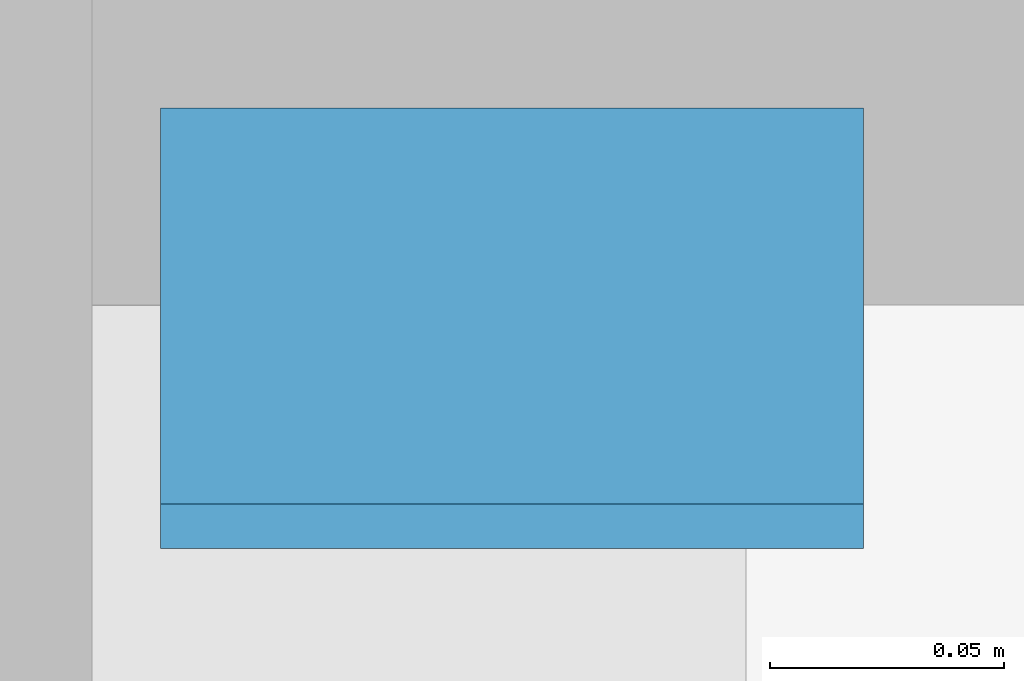
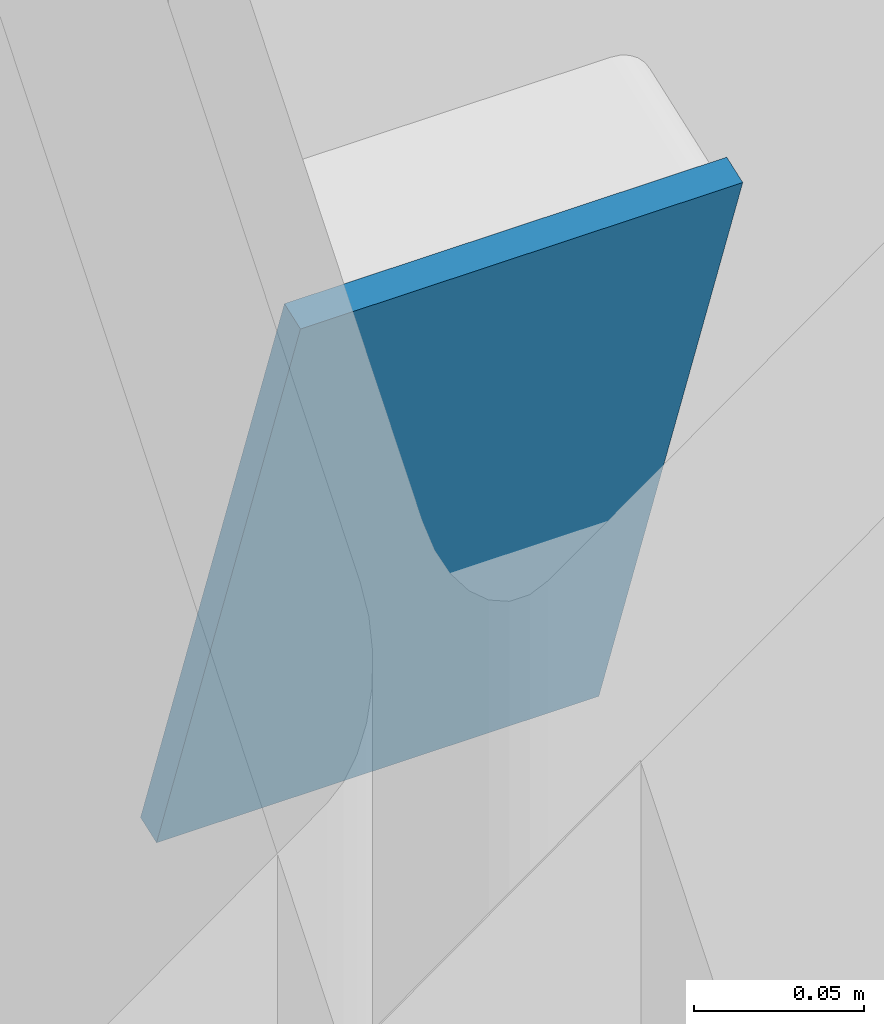
# One storey, part 115 of 149: 1 discrete accessory.
"""IFC4 building model written with IfcOpenShell, lengths in metres."""

import ifcopenshell
import ifcopenshell.guid

model = None  # the IFC model being written
_history = None  # IfcOwnerHistory: only IFC2X3 demands one
_inside = {}  # id of a spatial element -> (the spatial element, [elements in it])
_under = {}  # id of a project, library or spatial element -> (it, [spatial elements below it])
_declared = {}  # id of a project -> (the project, [libraries it declares])
_typed = {}  # id of a type object -> (the type object, [elements of that type])
_made_of = {}  # id of a material, layer set ... -> (it, [elements and type objects made of it])


def new_model(schema):
    """Start an empty IFC model of exactly this schema.

    Asked for "IFC4X3", IfcOpenShell would pick the latest addendum, in which some entities
    have other attributes; the version numbers below select the first issue.
    IFC2X3 requires an IfcOwnerHistory on every rooted entity: one is made here for all.
    """
    global model, _history
    if schema == "IFC4X3":
        model = ifcopenshell.file(schema_version=(4, 3, 0, 0))
    else:
        model = ifcopenshell.file(schema=schema)
    _inside.clear()
    _under.clear()
    _declared.clear()
    _typed.clear()
    _made_of.clear()
    _history = None
    if model.schema == "IFC2X3":
        org = make("IfcOrganization", Name="unknown")
        user = make(
            "IfcPersonAndOrganization",
            ThePerson=make("IfcPerson", FamilyName="unknown"),
            TheOrganization=org,
        )
        app = make(
            "IfcApplication",
            ApplicationDeveloper=org,
            Version="unknown",
            ApplicationFullName="unknown",
            ApplicationIdentifier="unknown",
        )
        _history = make(
            "IfcOwnerHistory",
            OwningUser=user,
            OwningApplication=app,
            ChangeAction="ADDED",
            CreationDate=0,
        )
    return model


def make(cls, **values):
    """One entity of the class cls with the attributes given. An attribute that is None is left unset."""
    return model.create_entity(
        cls, **{name: value for name, value in values.items() if value is not None}
    )


def rooted(cls, **values):
    """An entity with a GlobalId (a new one), such as an element, a storey or a relation."""
    return make(cls, GlobalId=ifcopenshell.guid.new(), OwnerHistory=_history, **values)


def si_unit(unit_type, name, prefix=None):
    """IfcSIUnit, for example si_unit("LENGTHUNIT", "METRE", prefix="MILLI")."""
    return make("IfcSIUnit", UnitType=unit_type, Prefix=prefix, Name=name)


def assignment(units):
    """IfcUnitAssignment: the units of a project."""
    return None if units is None else make("IfcUnitAssignment", Units=units)


def point(xyz):
    """IfcCartesianPoint."""
    return None if xyz is None else make("IfcCartesianPoint", Coordinates=xyz)


def direction(xyz):
    """IfcDirection."""
    return None if xyz is None else make("IfcDirection", DirectionRatios=xyz)


def frame(location, z_axis=None, x_axis=None):
    """IfcAxis2Placement3D, a coordinate frame: its origin and axes. An axis left out is left unset."""
    return make(
        "IfcAxis2Placement3D",
        Location=point(location),
        Axis=direction(z_axis),
        RefDirection=direction(x_axis),
    )


def frame_2d(location, x_axis=None):
    """IfcAxis2Placement2D, a coordinate frame in the plane: its origin and x axis."""
    return make(
        "IfcAxis2Placement2D", Location=point(location), RefDirection=direction(x_axis)
    )


def origin():
    """The frame at (0, 0, 0) with its axes left unset."""
    return frame((0.0, 0.0, 0.0))


def origin_2d():
    """The frame at (0, 0) in the plane with its x axis left unset."""
    return frame_2d((0.0, 0.0))


def place(relative_to, where):
    """IfcLocalPlacement: puts the frame where relative to a parent placement (None: the world)."""
    return make(
        "IfcLocalPlacement", PlacementRelTo=relative_to, RelativePlacement=where
    )


def context(
    kind, dimensions, precision=None, world=None, true_north=None, identifier=None
):
    """IfcGeometricRepresentationContext, for example the 3D "Model" context."""
    return make(
        "IfcGeometricRepresentationContext",
        ContextIdentifier=identifier,
        ContextType=kind,
        CoordinateSpaceDimension=dimensions,
        Precision=precision,
        WorldCoordinateSystem=world,
        TrueNorth=true_north,
    )


def subcontext(parent, identifier, kind, view, scale=None):
    """IfcGeometricRepresentationSubContext, for example "Body" below "Model"."""
    return make(
        "IfcGeometricRepresentationSubContext",
        ContextIdentifier=identifier,
        ContextType=kind,
        ParentContext=parent,
        TargetScale=scale,
        TargetView=view,
    )


def project(units=None, contexts=None):
    """IfcProject with its units and contexts."""
    return rooted(
        "IfcProject",
        Name="project",
        RepresentationContexts=contexts,
        UnitsInContext=assignment(units),
    )


def spatial(cls, under=None, at=None, **own):
    """A site, building, storey or space (cls), placed at a placement, below another one or the project."""
    s = rooted(cls, ObjectPlacement=at, **own)
    if under is not None:
        _under.setdefault(under.id(), (under, []))[1].append(s)
    return s


def profile(cls, at=None, kind="AREA", **sizes):
    """A parametric profile (cls). Its sizes go by their IFC names, for example OverallWidth=200.0."""
    return make(cls, ProfileType=kind, Position=at, **sizes)


def rectangle(**sizes):
    """IfcRectangleProfileDef."""
    return profile("IfcRectangleProfileDef", **sizes)


def extrude(swept, where, along, depth):
    """IfcExtrudedAreaSolid: the profile swept, set in the frame where, extruded along a direction by depth."""
    return make(
        "IfcExtrudedAreaSolid",
        SweptArea=swept,
        Position=where,
        ExtrudedDirection=direction(along),
        Depth=depth,
    )


def shape(context_of_items, identifier, shape_type, items):
    """IfcShapeRepresentation: the items that make up one representation, for example the "Body"."""
    return make(
        "IfcShapeRepresentation",
        ContextOfItems=context_of_items,
        RepresentationIdentifier=identifier,
        RepresentationType=shape_type,
        Items=items,
    )


def material(Name=None, Category=None):
    """IfcMaterial."""
    return make("IfcMaterial", Name=Name, Category=Category)


def material_profile(
    of_material, cross_section, Name=None, Category=None, Priority=None
):
    """IfcMaterialProfile: a cross section and its material."""
    return make(
        "IfcMaterialProfile",
        Name=Name,
        Material=of_material,
        Profile=cross_section,
        Priority=Priority,
        Category=Category,
    )


def profile_set(profiles, Name=None, composite=None):
    """IfcMaterialProfileSet."""
    return make(
        "IfcMaterialProfileSet",
        Name=Name,
        MaterialProfiles=profiles,
        CompositeProfile=composite,
    )


def made_of(thing, what):
    """Note that an element or type object is made of a material, layer set ...; save() writes the relation."""
    if what is not None:
        _made_of.setdefault(what.id(), (what, []))[1].append(thing)
    return thing


def type_object(cls, material=None, **own):
    """A type object (cls), such as IfcWallType, which elements share."""
    return made_of(rooted(cls, **own), material)


def element(
    cls,
    number,
    at=None,
    inside=None,
    cuts=None,
    type_object=None,
    material=None,
    context=None,
    identifier="Body",
    shape_type=None,
    held_by="IfcProductDefinitionShape",
    body=None,
    shapes=None,
    **own,
):
    """One element of the class cls, such as IfcWall. Its Tag is "e" and its number.

    at: its placement. inside: the storey or other place that contains it. cuts: it is an
    opening in that element (IfcRelVoidsElement). A single representation is given by context,
    identifier, shape_type and body (its items); several are given by shapes. held_by: the class
    of the entity that holds the representations. save() writes the other relations.
    """
    e = rooted(cls, Tag="e%d" % number, ObjectPlacement=at, **own)
    if body is not None:
        shapes = [shape(context, identifier, shape_type, body)]
    if shapes is not None:
        e.Representation = make(held_by, Representations=shapes)
    if inside is not None:
        _inside.setdefault(inside.id(), (inside, []))[1].append(e)
    if cuts is not None:
        rooted(
            "IfcRelVoidsElement", RelatingBuildingElement=cuts, RelatedOpeningElement=e
        )
    if type_object is not None:
        _typed.setdefault(type_object.id(), (type_object, []))[1].append(e)
    return made_of(e, material)


def aggregate(whole, parts):
    """IfcRelAggregates: a whole, such as a stair, and the parts it consists of."""
    return rooted("IfcRelAggregates", RelatingObject=whole, RelatedObjects=parts)


def save(model, path):
    """Write the relations noted so far, then the file.

    IfcRelAggregates (storeys below a building ...), IfcRelContainedInSpatialStructure (elements
    in a storey), IfcRelDefinesByType, IfcRelAssociatesMaterial and IfcRelDeclares: one each for
    every whole, place, type object, material and project.
    """
    for whole, parts in _under.values():
        aggregate(whole, parts)
    for where, things in _inside.values():
        rooted(
            "IfcRelContainedInSpatialStructure",
            RelatedElements=things,
            RelatingStructure=where,
        )
    for kind, things in _typed.values():
        rooted("IfcRelDefinesByType", RelatedObjects=things, RelatingType=kind)
    for what, things in _made_of.values():
        rooted("IfcRelAssociatesMaterial", RelatedObjects=things, RelatingMaterial=what)
    for by, libraries in _declared.values():
        rooted("IfcRelDeclares", RelatingContext=by, RelatedDefinitions=libraries)
    model.write(path)


model = new_model("IFC4")

# Units and contexts
model_context = context("Model", 3, precision=1e-05, world=origin(), true_north=direction((0.0, 1.0)))
body_context = subcontext(model_context, "Body", "Model", "MODEL_VIEW")
ifc_project = project(units=[si_unit("LENGTHUNIT", "METRE"), si_unit("AREAUNIT", "SQUARE_METRE"), si_unit("VOLUMEUNIT", "CUBIC_METRE"), si_unit("PLANEANGLEUNIT", "RADIAN"), si_unit("MASSUNIT", "GRAM", prefix="KILO")], contexts=[model_context])

# Site, building, storey
site_placement = place(None, origin())
site = spatial("IfcSite", under=ifc_project, at=site_placement, CompositionType="ELEMENT")
building_placement = place(site_placement, origin())
building = spatial("IfcBuilding", under=site, at=building_placement, Name="Kallimachos Central Library", CompositionType="ELEMENT")
storey_placement = place(building_placement, frame((0.0, 0.0, 9.89990234375)))
storey = spatial("IfcBuildingStorey", under=building, at=storey_placement, Name="L02", CompositionType="ELEMENT", Elevation=9.89990234375)

# Discrete accessory
ifc_material = material(Name="Steel S355J2", Category="steel")
ifc_material_profile = material_profile(ifc_material, rectangle(XDim=0.14990234375, YDim=0.25, at=origin_2d()), Name="End cap plate 10, 150x250")
ifc_profile_set = profile_set([ifc_material_profile], Name="Steel S355J2")
discrete_accessory_type = type_object("IfcDiscreteAccessoryType", Name="End cap plate 10, 150x250", PredefinedType="BRACKET", material=ifc_profile_set)
discrete_accessory_placement = place(storey_placement, frame((65.60009765625, 74.990478515625, 0.396728515625), z_axis=(0.0, 0.941194670762, 0.337864753607), x_axis=(-1.0, 0.0, 0.0)))
element("IfcDiscreteAccessory", 1, at=discrete_accessory_placement, inside=storey, type_object=discrete_accessory_type, Name="End cap plate", PredefinedType="BRACKET", context=body_context, shape_type="SweptSolid", body=[
    extrude(rectangle(XDim=0.14990234375, YDim=0.25, at=origin_2d()), origin(), (0.0, 0.0, 1.0), 0.010009765625),
])

save(model, "model.ifc")
